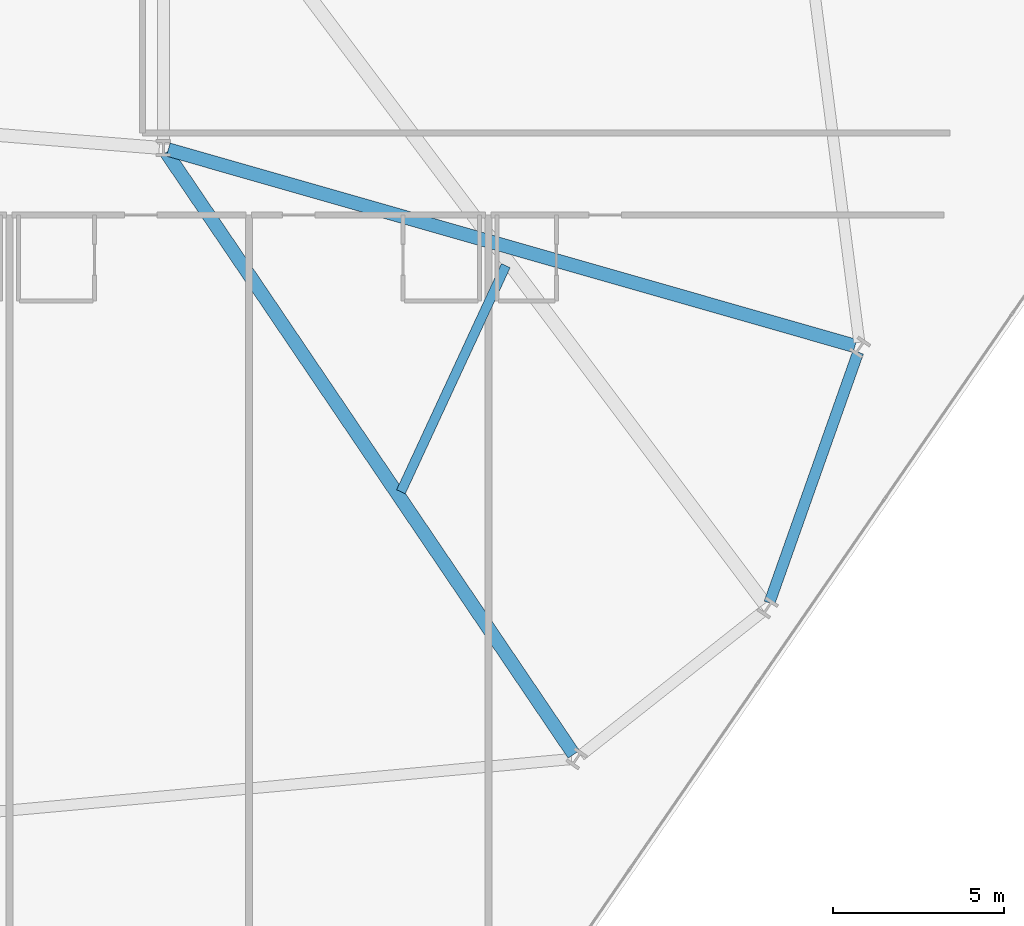
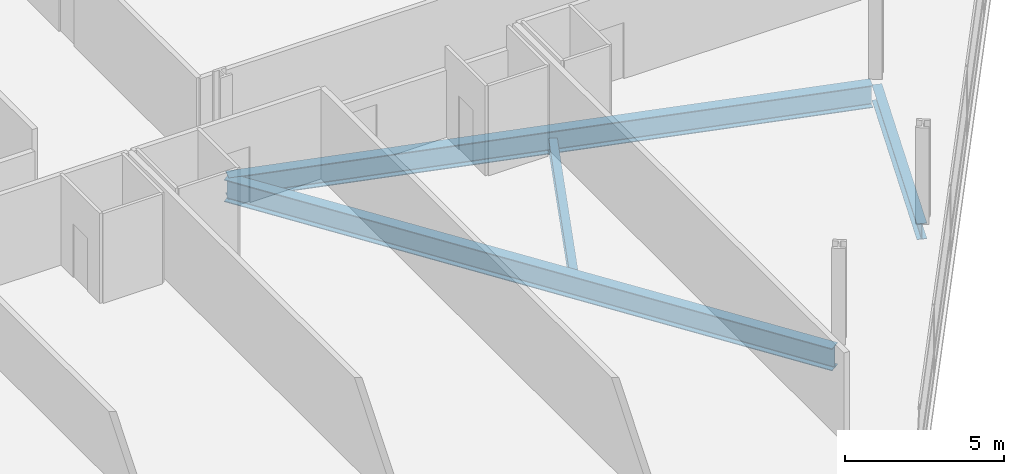
# One storey, part 8 of 25: 4 beams.
"""IFC4 building model written with IfcOpenShell, lengths in metres."""

from ifc_helpers import new_model, si_unit, direction, frame, origin, origin_2d, place, context, subcontext, project, spatial, i_section, extrude, material, material_profile, profile_set, type_object, element, save


model = new_model("IFC4")

# Units and contexts
model_context = context("Model", 3, precision=1e-05, world=origin(), true_north=direction((0.0, 1.0)))
body_context = subcontext(model_context, "Body", "Model", "MODEL_VIEW")
ifc_project = project(units=[si_unit("LENGTHUNIT", "METRE"), si_unit("AREAUNIT", "SQUARE_METRE"), si_unit("VOLUMEUNIT", "CUBIC_METRE"), si_unit("PLANEANGLEUNIT", "RADIAN"), si_unit("MASSUNIT", "GRAM", prefix="KILO")], contexts=[model_context])

# Site, building, storey
site_placement = place(None, origin())
site = spatial("IfcSite", under=ifc_project, at=site_placement, CompositionType="ELEMENT")
building_placement = place(site_placement, origin())
building = spatial("IfcBuilding", under=site, at=building_placement, Name="Varnelok Gate Tower", CompositionType="ELEMENT")
storey_placement = place(building_placement, frame((0.0, 0.0, 56.60009765625)))
storey = spatial("IfcBuildingStorey", under=building, at=storey_placement, Name="L13", CompositionType="ELEMENT", Elevation=56.60009765625)

# Beams
ifc_material = material(Name="Structural Steel ASTM A992 Grade 50", Category="steel")
ifc_material_profile_1 = material_profile(ifc_material, i_section(OverallWidth=0.280029296875, OverallDepth=0.462890625, WebThickness=0.0107421875, FlangeThickness=0.017333984375, FilletRadius=0.014892578125, at=origin_2d()), Name="W18X76")
ifc_profile_set_1 = profile_set([ifc_material_profile_1], Name="Structural Steel ASTM A992 Grade 50")
beam_type_1 = type_object("IfcBeamType", Name="BM-JST-W18X76", PredefinedType="JOIST", material=ifc_profile_set_1)
beam_1_placement = place(storey_placement, frame((60.947265625, 8.75390625, -0.481689453125), z_axis=(0.420674230726, 0.907211767783, 0.0), x_axis=(-0.907211767783, 0.420674230726, 0.0)))
element("IfcBeam", 1, at=beam_1_placement, inside=storey, type_object=beam_type_1, Name="L13 Sector Floor Joist 5", PredefinedType="JOIST", context=body_context, shape_type="SweptSolid", body=[
    extrude(i_section(OverallWidth=0.280029296875, OverallDepth=0.462890625, WebThickness=0.0107421875, FlangeThickness=0.017333984375, FilletRadius=0.014892578125, at=origin_2d()), origin(), (0.0, 0.0, 1.0), 7.28759765625),
])
ifc_material_profile_2 = material_profile(ifc_material, i_section(OverallWidth=0.39892578125, OverallDepth=0.85498046875, WebThickness=0.018310546875, FlangeThickness=0.029296875, FilletRadius=0.02392578125, at=origin_2d()), Name="W33X201")
ifc_profile_set_2 = profile_set([ifc_material_profile_2], Name="Structural Steel ASTM A992 Grade 50")
beam_type_2 = type_object("IfcBeamType", Name="BM-PRI-W33X201", PredefinedType="BEAM", material=ifc_profile_set_2)
beam_2_placement = place(storey_placement, frame((54.083984375, 18.67578125, -0.677490234375), z_axis=(0.560684565433, -0.828029478995, 0.0), x_axis=(0.828029478995, 0.560684565433, 0.0)))
element("IfcBeam", 2, at=beam_2_placement, inside=storey, type_object=beam_type_2, Name="L13 Radial Floor Girder 6", PredefinedType="BEAM", context=body_context, shape_type="SweptSolid", body=[
    extrude(i_section(OverallWidth=0.39892578125, OverallDepth=0.85498046875, WebThickness=0.018310546875, FlangeThickness=0.029296875, FilletRadius=0.02392578125, at=origin_2d()), origin(), (0.0, 0.0, 1.0), 21.25390625),
])
beam_3_placement = place(storey_placement, frame((54.144287109375, 18.7587890625, -0.677490234375), z_axis=(0.961463485116, -0.274932658643, 0.0), x_axis=(0.274932658643, 0.961463485116, 0.0)))
element("IfcBeam", 3, at=beam_3_placement, inside=storey, type_object=beam_type_2, Name="L13 Radial Floor Girder 8", PredefinedType="BEAM", context=body_context, shape_type="SweptSolid", body=[
    extrude(i_section(OverallWidth=0.39892578125, OverallDepth=0.85498046875, WebThickness=0.018310546875, FlangeThickness=0.029296875, FilletRadius=0.02392578125, at=origin_2d()), origin(), (0.0, 0.0, 1.0), 20.883056640625),
])
ifc_material_profile_3 = material_profile(ifc_material, i_section(OverallWidth=0.323974609375, OverallDepth=0.611083984375, WebThickness=0.0126953125, FlangeThickness=0.01904296875, FilletRadius=0.01806640625, at=origin_2d()), Name="W24X104")
ifc_profile_set_3 = profile_set([ifc_material_profile_3], Name="Structural Steel ASTM A992 Grade 50")
beam_type_3 = type_object("IfcBeamType", Name="BM-SPN-W24X104", PredefinedType="SPANDREL", material=ifc_profile_set_3)
beam_4_placement = place(storey_placement, frame((71.72021484375, 5.50390625, -0.5556640625), z_axis=(0.333887238705, 0.942613023372, 0.0), x_axis=(-0.942613023372, 0.333887238705, 0.0)))
element("IfcBeam", 4, at=beam_4_placement, inside=storey, type_object=beam_type_3, Name="L13 Perimeter Spandrel Beam 7", PredefinedType="SPANDREL", context=body_context, shape_type="SweptSolid", body=[
    extrude(i_section(OverallWidth=0.323974609375, OverallDepth=0.611083984375, WebThickness=0.0126953125, FlangeThickness=0.01904296875, FilletRadius=0.01806640625, at=origin_2d()), origin(), (0.0, 0.0, 1.0), 7.777099609375),
])

save(model, "model.ifc")
